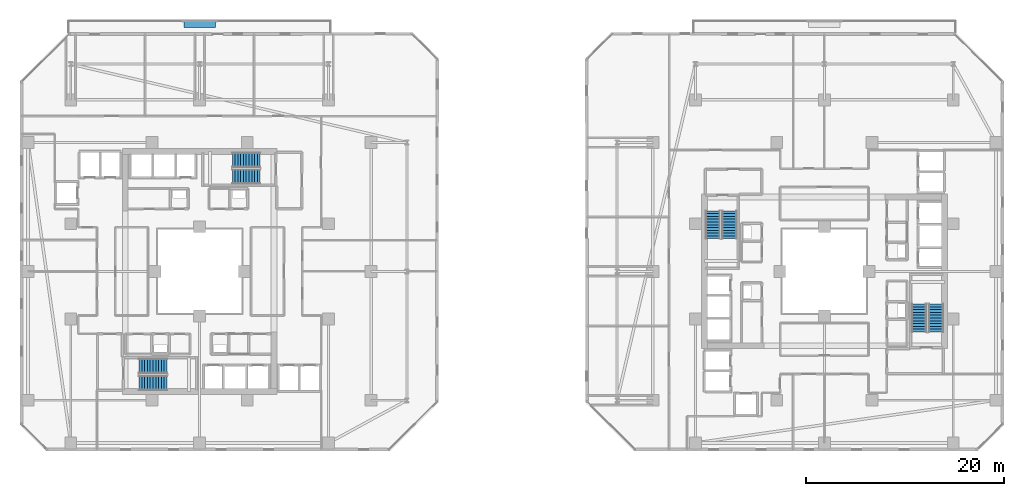
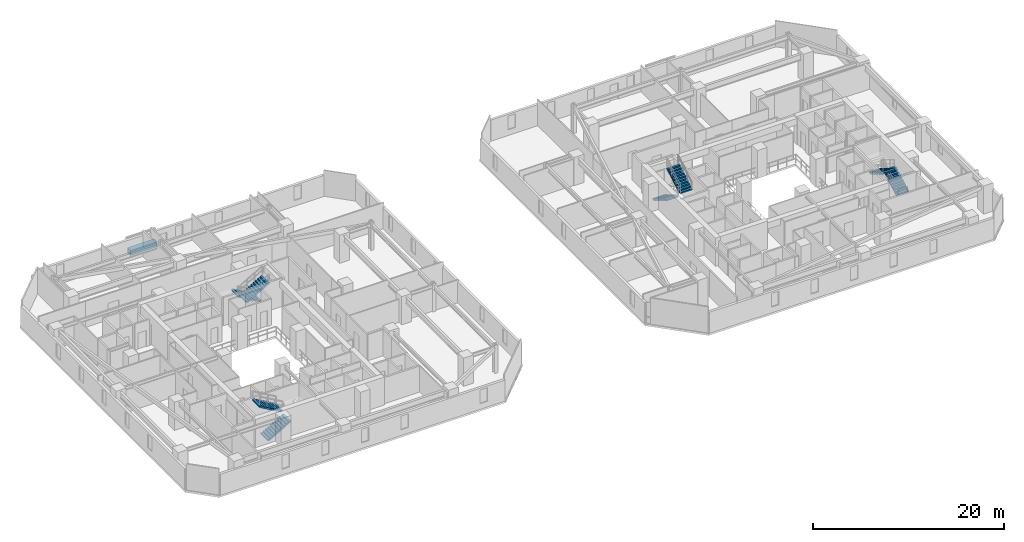
# One storey, part 25 of 31: 8 stair flights, 1 discrete accessory, 4 elements without a shape of their own.
"""IFC4 building model written with IfcOpenShell, lengths in metres."""

from ifc_helpers import new_model, si_unit, direction, frame, origin, origin_2d, place, context, subcontext, project, spatial, polyline, rectangle, outline, extrude, material, type_object, element, aggregate, save


model = new_model("IFC4")

# Units and contexts
model_context = context("Model", 3, precision=1e-05, world=origin(), true_north=direction((0.0, 1.0)))
body_context = subcontext(model_context, "Body", "Model", "MODEL_VIEW")
ifc_project = project(units=[si_unit("LENGTHUNIT", "METRE"), si_unit("AREAUNIT", "SQUARE_METRE"), si_unit("VOLUMEUNIT", "CUBIC_METRE"), si_unit("PLANEANGLEUNIT", "RADIAN"), si_unit("MASSUNIT", "GRAM", prefix="KILO")], contexts=[model_context])

# Site, building, storey
site_placement = place(None, origin())
site = spatial("IfcSite", under=ifc_project, at=site_placement, CompositionType="ELEMENT")
building_placement = place(site_placement, origin())
building = spatial("IfcBuilding", under=site, at=building_placement, Name="Thornwick Lancets Civic Towers", CompositionType="ELEMENT")
storey_placement = place(building_placement, frame((0.0, 0.0, 90.89990234375)))
storey = spatial("IfcBuildingStorey", under=building, at=storey_placement, Name="L23", CompositionType="ELEMENT", Elevation=90.89990234375)

# Stair, stair flights
ifc_material_1 = material(Name="Concrete C40/50", Category="concrete")
stair_type = type_object("IfcStairType", Name="STAIR_DL_3600", PredefinedType="HALF_TURN_STAIR", material=ifc_material_1)
stair_1_placement = place(storey_placement, origin())
stair_1 = element("IfcStair", 1, at=stair_1_placement, inside=storey, type_object=stair_type, Name="L23 Tower A South Exit Stair ST-A1", PredefinedType="HALF_TURN_STAIR")
stair_flight_type = type_object("IfcStairFlightType", Name="FLIGHT_3600", PredefinedType="STRAIGHT", material=ifc_material_1)
stair_flight_1_placement = place(storey_placement, frame((19.39990234375, 15.75, 0.0), z_axis=(0.0, 0.0, 1.0), x_axis=(1.0, 0.0, 0.0)))
stair_flight_1 = element("IfcStairFlight", 2, at=stair_flight_1_placement, type_object=stair_flight_type, Name="ST-A1 flight 1", NumberOfRisers=11, NumberOfTreads=10, PredefinedType="STRAIGHT", RiserHeight=0.163636364, TreadLength=0.28, context=body_context, shape_type="SweptSolid", body=[
    extrude(outline(polyline([(0.0, 0.0), (0.0, 0.16357421875), (0.280029296875, 0.16357421875), (0.280029296875, 0.327392578125), (0.56005859375, 0.327392578125), (0.56005859375, 0.490966796875), (0.840087890625, 0.490966796875), (0.840087890625, 0.654541015625), (1.1201171875, 0.654541015625), (1.1201171875, 0.818115234375), (1.39990234375, 0.818115234375), (1.39990234375, 0.98193359375), (1.679931640625, 0.98193359375), (1.679931640625, 1.1455078125), (1.9599609375, 1.1455078125), (1.9599609375, 1.30908203125), (2.239990234375, 1.30908203125), (2.239990234375, 1.47265625), (2.52001953125, 1.47265625), (2.52001953125, 1.636474609375), (2.800048828125, 1.636474609375), (2.800048828125, 1.800048828125), (2.800048828125, 1.462646484375), (0.297119140625, 0.0), (0.0, 0.0)])), frame((0.0, 0.75, 0.0), z_axis=(0.0, -1.0, 0.0), x_axis=(1.0, 0.0, 0.0)), (0.0, 0.0, 1.0), 1.5),
])
stair_flight_2_placement = place(storey_placement, frame((22.199951171875, 17.449951171875, 1.800048828125), z_axis=(0.0, 0.0, 1.0), x_axis=(-1.0, 0.0, 0.0)))
stair_flight_2 = element("IfcStairFlight", 3, at=stair_flight_2_placement, type_object=stair_flight_type, Name="ST-A1 flight 2", NumberOfRisers=11, NumberOfTreads=10, PredefinedType="STRAIGHT", RiserHeight=0.163636364, TreadLength=0.28, context=body_context, shape_type="SweptSolid", body=[
    extrude(outline(polyline([(0.0, 0.0), (0.0, 0.16357421875), (0.280029296875, 0.16357421875), (0.280029296875, 0.327392578125), (0.56005859375, 0.327392578125), (0.56005859375, 0.490966796875), (0.840087890625, 0.490966796875), (0.840087890625, 0.654541015625), (1.1201171875, 0.654541015625), (1.1201171875, 0.818115234375), (1.39990234375, 0.818115234375), (1.39990234375, 0.98193359375), (1.679931640625, 0.98193359375), (1.679931640625, 1.1455078125), (1.9599609375, 1.1455078125), (1.9599609375, 1.30908203125), (2.239990234375, 1.30908203125), (2.239990234375, 1.47265625), (2.52001953125, 1.47265625), (2.52001953125, 1.636474609375), (2.800048828125, 1.636474609375), (2.800048828125, 1.800048828125), (2.800048828125, 1.462646484375), (0.297119140625, 0.0), (0.0, 0.0)])), frame((0.0, 0.75, 0.0), z_axis=(0.0, -1.0, 0.0), x_axis=(1.0, 0.0, 0.0)), (0.0, 0.0, 1.0), 1.5),
])
aggregate(stair_1, [stair_flight_1, stair_flight_2])

stair_2_placement = place(storey_placement, origin())
stair_2 = element("IfcStair", 4, at=stair_2_placement, inside=storey, type_object=stair_type, Name="L23 Tower A North Exit Stair ST-A2", PredefinedType="HALF_TURN_STAIR")
stair_flight_3_placement = place(storey_placement, frame((31.60009765625, 38.25, 0.0), z_axis=(0.0, 0.0, 1.0), x_axis=(-1.0, 0.0, 0.0)))
stair_flight_3 = element("IfcStairFlight", 5, at=stair_flight_3_placement, type_object=stair_flight_type, Name="ST-A2 flight 1", NumberOfRisers=11, NumberOfTreads=10, PredefinedType="STRAIGHT", RiserHeight=0.163636364, TreadLength=0.28, context=body_context, shape_type="SweptSolid", body=[
    extrude(outline(polyline([(0.0, 0.0), (0.0, 0.16357421875), (0.280029296875, 0.16357421875), (0.280029296875, 0.327392578125), (0.56005859375, 0.327392578125), (0.56005859375, 0.490966796875), (0.840087890625, 0.490966796875), (0.840087890625, 0.654541015625), (1.1201171875, 0.654541015625), (1.1201171875, 0.818115234375), (1.39990234375, 0.818115234375), (1.39990234375, 0.98193359375), (1.679931640625, 0.98193359375), (1.679931640625, 1.1455078125), (1.9599609375, 1.1455078125), (1.9599609375, 1.30908203125), (2.239990234375, 1.30908203125), (2.239990234375, 1.47265625), (2.52001953125, 1.47265625), (2.52001953125, 1.636474609375), (2.800048828125, 1.636474609375), (2.800048828125, 1.800048828125), (2.800048828125, 1.462646484375), (0.297119140625, 0.0), (0.0, 0.0)])), frame((0.0, 0.75, 0.0), z_axis=(0.0, -1.0, 0.0), x_axis=(1.0, 0.0, 0.0)), (0.0, 0.0, 1.0), 1.5),
])
stair_flight_4_placement = place(storey_placement, frame((28.800048828125, 36.550048828125, 1.800048828125), z_axis=(0.0, 0.0, 1.0), x_axis=(1.0, 0.0, 0.0)))
stair_flight_4 = element("IfcStairFlight", 6, at=stair_flight_4_placement, type_object=stair_flight_type, Name="ST-A2 flight 2", NumberOfRisers=11, NumberOfTreads=10, PredefinedType="STRAIGHT", RiserHeight=0.163636364, TreadLength=0.28, context=body_context, shape_type="SweptSolid", body=[
    extrude(outline(polyline([(0.0, 0.0), (0.0, 0.16357421875), (0.280029296875, 0.16357421875), (0.280029296875, 0.327392578125), (0.56005859375, 0.327392578125), (0.56005859375, 0.490966796875), (0.840087890625, 0.490966796875), (0.840087890625, 0.654541015625), (1.1201171875, 0.654541015625), (1.1201171875, 0.818115234375), (1.39990234375, 0.818115234375), (1.39990234375, 0.98193359375), (1.679931640625, 0.98193359375), (1.679931640625, 1.1455078125), (1.9599609375, 1.1455078125), (1.9599609375, 1.30908203125), (2.239990234375, 1.30908203125), (2.239990234375, 1.47265625), (2.52001953125, 1.47265625), (2.52001953125, 1.636474609375), (2.800048828125, 1.636474609375), (2.800048828125, 1.800048828125), (2.800048828125, 1.462646484375), (0.297119140625, 0.0), (0.0, 0.0)])), frame((0.0, 0.75, 0.0), z_axis=(0.0, -1.0, 0.0), x_axis=(1.0, 0.0, 0.0)), (0.0, 0.0, 1.0), 1.5),
])
aggregate(stair_2, [stair_flight_3, stair_flight_4])

stair_3_placement = place(storey_placement, origin())
stair_3 = element("IfcStair", 7, at=stair_3_placement, inside=storey, type_object=stair_type, Name="L23 Tower B East Exit Stair ST-B1", PredefinedType="HALF_TURN_STAIR")
stair_flight_5_placement = place(storey_placement, frame((99.75, 20.89990234375, 0.0), z_axis=(0.0, 0.0, 1.0), x_axis=(0.0, 1.0, 0.0)))
stair_flight_5 = element("IfcStairFlight", 8, at=stair_flight_5_placement, type_object=stair_flight_type, Name="ST-B1 flight 1", NumberOfRisers=11, NumberOfTreads=10, PredefinedType="STRAIGHT", RiserHeight=0.163636364, TreadLength=0.28, context=body_context, shape_type="SweptSolid", body=[
    extrude(outline(polyline([(0.0, 0.0), (0.0, 0.16357421875), (0.280029296875, 0.16357421875), (0.280029296875, 0.327392578125), (0.56005859375, 0.327392578125), (0.56005859375, 0.490966796875), (0.840087890625, 0.490966796875), (0.840087890625, 0.654541015625), (1.1201171875, 0.654541015625), (1.1201171875, 0.818115234375), (1.39990234375, 0.818115234375), (1.39990234375, 0.98193359375), (1.679931640625, 0.98193359375), (1.679931640625, 1.1455078125), (1.9599609375, 1.1455078125), (1.9599609375, 1.30908203125), (2.239990234375, 1.30908203125), (2.239990234375, 1.47265625), (2.52001953125, 1.47265625), (2.52001953125, 1.636474609375), (2.800048828125, 1.636474609375), (2.800048828125, 1.800048828125), (2.800048828125, 1.462646484375), (0.297119140625, 0.0), (0.0, 0.0)])), frame((0.0, 0.75, 0.0), z_axis=(0.0, -1.0, 0.0), x_axis=(1.0, 0.0, 0.0)), (0.0, 0.0, 1.0), 1.5),
])
stair_flight_6_placement = place(storey_placement, frame((98.050048828125, 23.699951171875, 1.800048828125), z_axis=(0.0, 0.0, 1.0), x_axis=(0.0, -1.0, 0.0)))
stair_flight_6 = element("IfcStairFlight", 9, at=stair_flight_6_placement, type_object=stair_flight_type, Name="ST-B1 flight 2", NumberOfRisers=11, NumberOfTreads=10, PredefinedType="STRAIGHT", RiserHeight=0.163636364, TreadLength=0.28, context=body_context, shape_type="SweptSolid", body=[
    extrude(outline(polyline([(0.0, 0.0), (0.0, 0.16357421875), (0.280029296875, 0.16357421875), (0.280029296875, 0.327392578125), (0.56005859375, 0.327392578125), (0.56005859375, 0.490966796875), (0.840087890625, 0.490966796875), (0.840087890625, 0.654541015625), (1.1201171875, 0.654541015625), (1.1201171875, 0.818115234375), (1.39990234375, 0.818115234375), (1.39990234375, 0.98193359375), (1.679931640625, 0.98193359375), (1.679931640625, 1.1455078125), (1.9599609375, 1.1455078125), (1.9599609375, 1.30908203125), (2.239990234375, 1.30908203125), (2.239990234375, 1.47265625), (2.52001953125, 1.47265625), (2.52001953125, 1.636474609375), (2.800048828125, 1.636474609375), (2.800048828125, 1.800048828125), (2.800048828125, 1.462646484375), (0.297119140625, 0.0), (0.0, 0.0)])), frame((0.0, 0.75, 0.0), z_axis=(0.0, -1.0, 0.0), x_axis=(1.0, 0.0, 0.0)), (0.0, 0.0, 1.0), 1.5),
])
aggregate(stair_3, [stair_flight_5, stair_flight_6])

stair_4_placement = place(storey_placement, origin())
stair_4 = element("IfcStair", 10, at=stair_4_placement, inside=storey, type_object=stair_type, Name="L23 Tower B West Exit Stair ST-B2", PredefinedType="HALF_TURN_STAIR")
stair_flight_7_placement = place(storey_placement, frame((77.25, 33.10009765625, 0.0), z_axis=(0.0, 0.0, 1.0), x_axis=(0.0, -1.0, 0.0)))
stair_flight_7 = element("IfcStairFlight", 11, at=stair_flight_7_placement, type_object=stair_flight_type, Name="ST-B2 flight 1", NumberOfRisers=11, NumberOfTreads=10, PredefinedType="STRAIGHT", RiserHeight=0.163636364, TreadLength=0.28, context=body_context, shape_type="SweptSolid", body=[
    extrude(outline(polyline([(0.0, 0.0), (0.0, 0.16357421875), (0.280029296875, 0.16357421875), (0.280029296875, 0.327392578125), (0.56005859375, 0.327392578125), (0.56005859375, 0.490966796875), (0.840087890625, 0.490966796875), (0.840087890625, 0.654541015625), (1.1201171875, 0.654541015625), (1.1201171875, 0.818115234375), (1.39990234375, 0.818115234375), (1.39990234375, 0.98193359375), (1.679931640625, 0.98193359375), (1.679931640625, 1.1455078125), (1.9599609375, 1.1455078125), (1.9599609375, 1.30908203125), (2.239990234375, 1.30908203125), (2.239990234375, 1.47265625), (2.52001953125, 1.47265625), (2.52001953125, 1.636474609375), (2.800048828125, 1.636474609375), (2.800048828125, 1.800048828125), (2.800048828125, 1.462646484375), (0.297119140625, 0.0), (0.0, 0.0)])), frame((0.0, 0.75, 0.0), z_axis=(0.0, -1.0, 0.0), x_axis=(1.0, 0.0, 0.0)), (0.0, 0.0, 1.0), 1.5),
])
stair_flight_8_placement = place(storey_placement, frame((78.949951171875, 30.300048828125, 1.800048828125), z_axis=(0.0, 0.0, 1.0), x_axis=(0.0, 1.0, 0.0)))
stair_flight_8 = element("IfcStairFlight", 12, at=stair_flight_8_placement, type_object=stair_flight_type, Name="ST-B2 flight 2", NumberOfRisers=11, NumberOfTreads=10, PredefinedType="STRAIGHT", RiserHeight=0.163636364, TreadLength=0.28, context=body_context, shape_type="SweptSolid", body=[
    extrude(outline(polyline([(0.0, 0.0), (0.0, 0.16357421875), (0.280029296875, 0.16357421875), (0.280029296875, 0.327392578125), (0.56005859375, 0.327392578125), (0.56005859375, 0.490966796875), (0.840087890625, 0.490966796875), (0.840087890625, 0.654541015625), (1.1201171875, 0.654541015625), (1.1201171875, 0.818115234375), (1.39990234375, 0.818115234375), (1.39990234375, 0.98193359375), (1.679931640625, 0.98193359375), (1.679931640625, 1.1455078125), (1.9599609375, 1.1455078125), (1.9599609375, 1.30908203125), (2.239990234375, 1.30908203125), (2.239990234375, 1.47265625), (2.52001953125, 1.47265625), (2.52001953125, 1.636474609375), (2.800048828125, 1.636474609375), (2.800048828125, 1.800048828125), (2.800048828125, 1.462646484375), (0.297119140625, 0.0), (0.0, 0.0)])), frame((0.0, 0.75, 0.0), z_axis=(0.0, -1.0, 0.0), x_axis=(1.0, 0.0, 0.0)), (0.0, 0.0, 1.0), 1.5),
])
aggregate(stair_4, [stair_flight_7, stair_flight_8])

# Discrete accessory
ifc_material_2 = material(Name="Planted terracotta greenery planter", Category="masonry")
discrete_accessory_type = type_object("IfcDiscreteAccessoryType", Name="ACC_PLANTER_BOX", PredefinedType="USERDEFINED", material=ifc_material_2)
discrete_accessory_placement = place(storey_placement, frame((25.5, 51.89990234375, 0.000244140625), z_axis=(0.0, 0.0, 1.0), x_axis=(1.0, 0.0, 0.0)))
element("IfcDiscreteAccessory", 13, at=discrete_accessory_placement, inside=storey, type_object=discrete_accessory_type, Name="L23 Tower A Balcony Greenery Planter N", ObjectType="PLANTER", PredefinedType="USERDEFINED", context=body_context, shape_type="SweptSolid", body=[
    extrude(rectangle(XDim=3.199951171875, YDim=0.64990234375, at=origin_2d()), origin(), (0.0, 0.0, 1.0), 0.64990234375),
])

save(model, "model.ifc")
